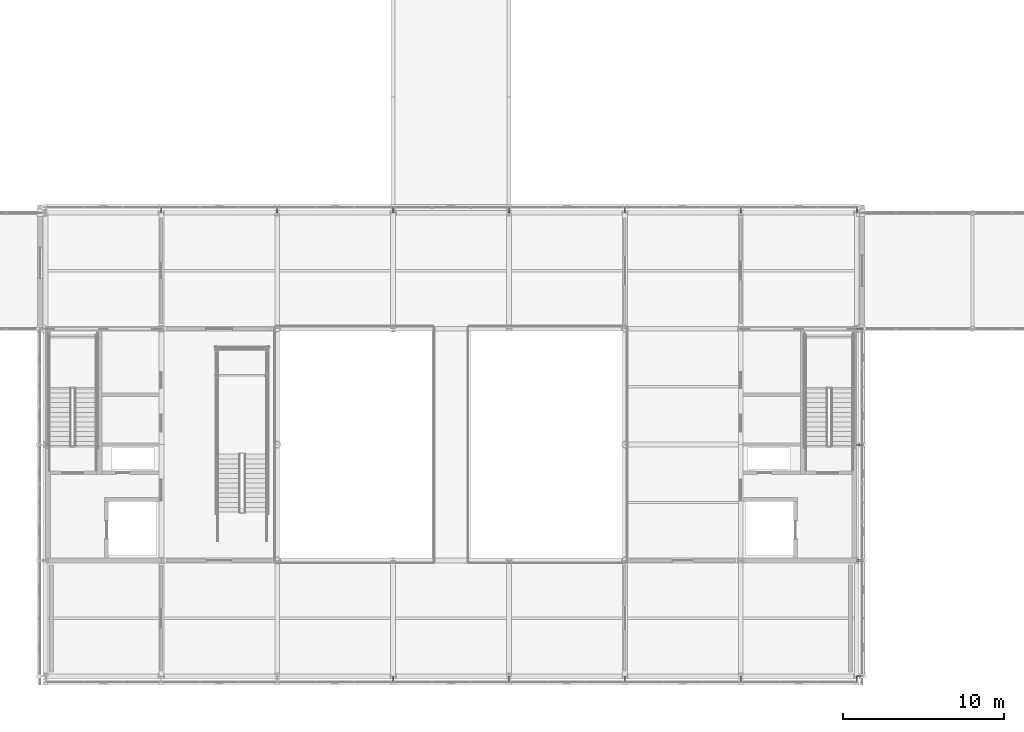
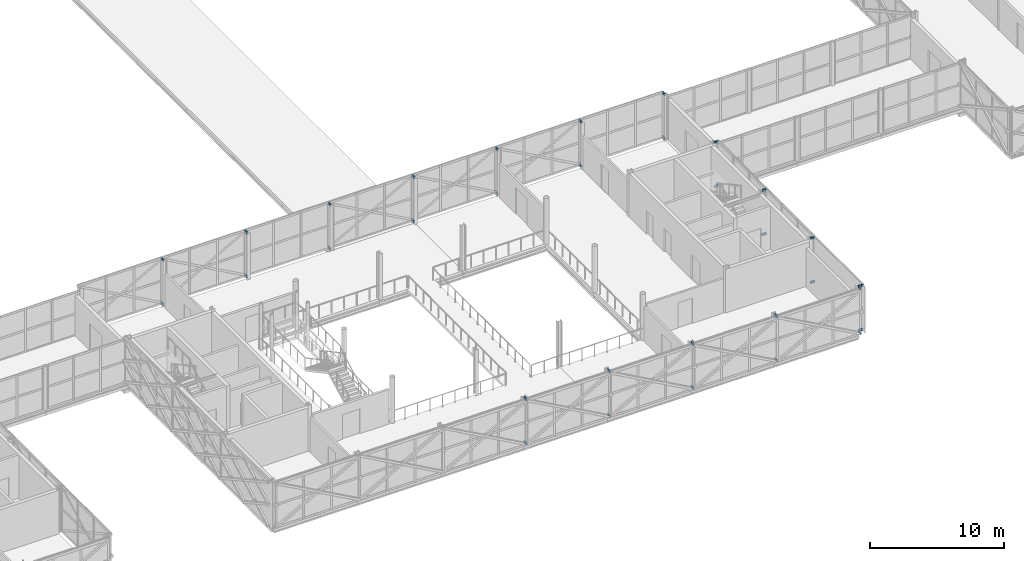
# One storey, part 70 of 126: 32 beams.
"""IFC4 building model written with IfcOpenShell, lengths in metres."""

from ifc_helpers import new_model, si_unit, direction, frame, origin, origin_2d, place, context, subcontext, project, spatial, i_section, extrude, material, material_profile, profile_set, type_object, element, save


model = new_model("IFC4")

# Units and contexts
model_context = context("Model", 3, precision=1e-05, world=origin(), true_north=direction((0.0, 1.0)))
body_context = subcontext(model_context, "Body", "Model", "MODEL_VIEW")
ifc_project = project(units=[si_unit("LENGTHUNIT", "METRE"), si_unit("AREAUNIT", "SQUARE_METRE"), si_unit("VOLUMEUNIT", "CUBIC_METRE"), si_unit("PLANEANGLEUNIT", "RADIAN"), si_unit("MASSUNIT", "GRAM", prefix="KILO")], contexts=[model_context])

# Site, building, storey
site_placement = place(None, origin())
site = spatial("IfcSite", under=ifc_project, at=site_placement, CompositionType="ELEMENT")
building_placement = place(site_placement, origin())
building = spatial("IfcBuilding", under=site, at=building_placement, Name="Zlatovets Crest Museum", CompositionType="ELEMENT")
storey_placement = place(building_placement, frame((0.0, 0.0, 8.699951171875)))
storey = spatial("IfcBuildingStorey", under=building, at=storey_placement, Name="L02", CompositionType="ELEMENT", Elevation=8.699951171875)

# Beams
ifc_material = material(Name="Structural steel S355J2", Category="steel")
ifc_material_profile = material_profile(ifc_material, i_section(OverallWidth=0.10009765625, OverallDepth=0.199951171875, WebThickness=0.005615234375, FlangeThickness=0.008544921875, FilletRadius=0.011962890625, at=origin_2d()), Name="IPE 200")
ifc_profile_set = profile_set([ifc_material_profile], Name="Structural steel S355J2")
beam_type = type_object("IfcBeamType", Name="Beam_PR-02", PredefinedType="LINTEL", material=ifc_profile_set)
for number, where, z_axis, x_axis, name in (
    (1, (79.199951171875, 0.0, 0.10009765625), (0.0, -1.0, 0.0), (1.0, 0.0, 0.0), "Lattice Structural Outrigger Tie"),
    (2, (79.199951171875, 0.0, 4.10009765625), (0.0, -1.0, 0.0), (1.0, 0.0, 0.0), "Lattice Structural Outrigger Tie"),
    (3, (86.39990234375, 0.0, 0.10009765625), (0.0, -1.0, 0.0), (1.0, 0.0, 0.0), "Lattice Structural Outrigger Tie"),
    (4, (86.39990234375, 0.0, 4.10009765625), (0.0, -1.0, 0.0), (1.0, 0.0, 0.0), "Lattice Structural Outrigger Tie"),
    (5, (93.60009765625, 0.0, 0.10009765625), (0.0, -1.0, 0.0), (1.0, 0.0, 0.0), "Lattice Structural Outrigger Tie"),
    (6, (93.60009765625, 0.0, 4.10009765625), (0.0, -1.0, 0.0), (1.0, 0.0, 0.0), "Lattice Structural Outrigger Tie"),
    (7, (100.800048828125, 0.0, 0.10009765625), (0.0, -1.0, 0.0), (1.0, 0.0, 0.0), "Lattice Structural Outrigger Tie"),
    (8, (100.800048828125, 0.0, 4.10009765625), (0.0, -1.0, 0.0), (1.0, 0.0, 0.0), "Lattice Structural Outrigger Tie"),
    (9, (108.0, 0.0, 0.10009765625), (0.0, -1.0, 0.0), (1.0, 0.0, 0.0), "Lattice Structural Outrigger Tie"),
    (10, (108.0, 0.0, 4.10009765625), (0.0, -1.0, 0.0), (1.0, 0.0, 0.0), "Lattice Structural Outrigger Tie"),
    (11, (108.0, 0.0, 0.10009765625), (1.0, 0.0, 0.0), (0.0, 1.0, 0.0), "Lattice Structural Outrigger Tie"),
    (12, (108.0, 0.0, 4.10009765625), (1.0, 0.0, 0.0), (0.0, 1.0, 0.0), "Lattice Structural Outrigger Tie"),
    (13, (108.0, 7.199951171875, 0.10009765625), (1.0, 0.0, 0.0), (0.0, 1.0, 0.0), "Lattice Structural Outrigger Tie"),
    (14, (108.0, 7.199951171875, 4.10009765625), (1.0, 0.0, 0.0), (0.0, 1.0, 0.0), "Lattice Structural Outrigger Tie"),
    (15, (108.0, 14.39990234375, 0.10009765625), (1.0, 0.0, 0.0), (0.0, 1.0, 0.0), "Lattice Structural Outrigger Tie"),
    (16, (108.0, 14.39990234375, 4.10009765625), (1.0, 0.0, 0.0), (0.0, 1.0, 0.0), "Lattice Structural Outrigger Tie"),
    (17, (108.0, 21.60009765625, 0.10009765625), (1.0, 0.0, 0.0), (0.0, 1.0, 0.0), "Lattice Structural Outrigger Tie"),
    (18, (108.0, 21.60009765625, 4.10009765625), (1.0, 0.0, 0.0), (0.0, 1.0, 0.0), "Lattice Structural Outrigger Tie"),
    (19, (108.0, 28.800048828125, 0.10009765625), (0.0, 1.0, 0.0), (-1.0, 0.0, 0.0), "Lattice Structural Outrigger Tie"),
    (20, (108.0, 28.800048828125, 4.10009765625), (0.0, 1.0, 0.0), (-1.0, 0.0, 0.0), "Lattice Structural Outrigger Tie"),
    (21, (100.800048828125, 28.800048828125, 0.10009765625), (0.0, 1.0, 0.0), (-1.0, 0.0, 0.0), "Lattice Structural Outrigger Tie"),
    (22, (100.800048828125, 28.800048828125, 4.10009765625), (0.0, 1.0, 0.0), (-1.0, 0.0, 0.0), "Lattice Structural Outrigger Tie"),
    (23, (93.60009765625, 28.800048828125, 0.10009765625), (0.0, 1.0, 0.0), (-1.0, 0.0, 0.0), "Lattice Structural Outrigger Tie"),
    (24, (93.60009765625, 28.800048828125, 4.10009765625), (0.0, 1.0, 0.0), (-1.0, 0.0, 0.0), "Lattice Structural Outrigger Tie"),
    (25, (86.39990234375, 28.800048828125, 0.10009765625), (0.0, 1.0, 0.0), (-1.0, 0.0, 0.0), "Lattice Structural Outrigger Tie"),
    (26, (86.39990234375, 28.800048828125, 4.10009765625), (0.0, 1.0, 0.0), (-1.0, 0.0, 0.0), "Lattice Structural Outrigger Tie"),
    (27, (79.199951171875, 28.800048828125, 0.10009765625), (0.0, 1.0, 0.0), (-1.0, 0.0, 0.0), "Lattice Structural Outrigger Tie"),
    (28, (79.199951171875, 28.800048828125, 4.10009765625), (0.0, 1.0, 0.0), (-1.0, 0.0, 0.0), "Lattice Structural Outrigger Tie"),
    (29, (72.0, 28.800048828125, 0.10009765625), (0.0, 1.0, 0.0), (-1.0, 0.0, 0.0), "Lattice Structural Outrigger Tie"),
    (30, (72.0, 28.800048828125, 4.10009765625), (0.0, 1.0, 0.0), (-1.0, 0.0, 0.0), "Lattice Structural Outrigger Tie"),
    (31, (64.800048828125, 28.800048828125, 0.10009765625), (0.0, 1.0, 0.0), (-1.0, 0.0, 0.0), "Lattice Structural Outrigger Tie"),
    (32, (64.800048828125, 28.800048828125, 4.10009765625), (0.0, 1.0, 0.0), (-1.0, 0.0, 0.0), "Lattice Structural Outrigger Tie"),
):
    element("IfcBeam", number, at=place(storey_placement, frame(where, z_axis=z_axis, x_axis=x_axis)), inside=storey, type_object=beam_type, Name=name, PredefinedType="LINTEL", context=body_context, shape_type="SweptSolid", body=[
        extrude(i_section(OverallWidth=0.10009765625, OverallDepth=0.199951171875, WebThickness=0.005615234375, FlangeThickness=0.008544921875, FilletRadius=0.011962890625, at=origin_2d()), origin(), (0.0, 0.0, 1.0), 0.419921875),
    ])

save(model, "model.ifc")
